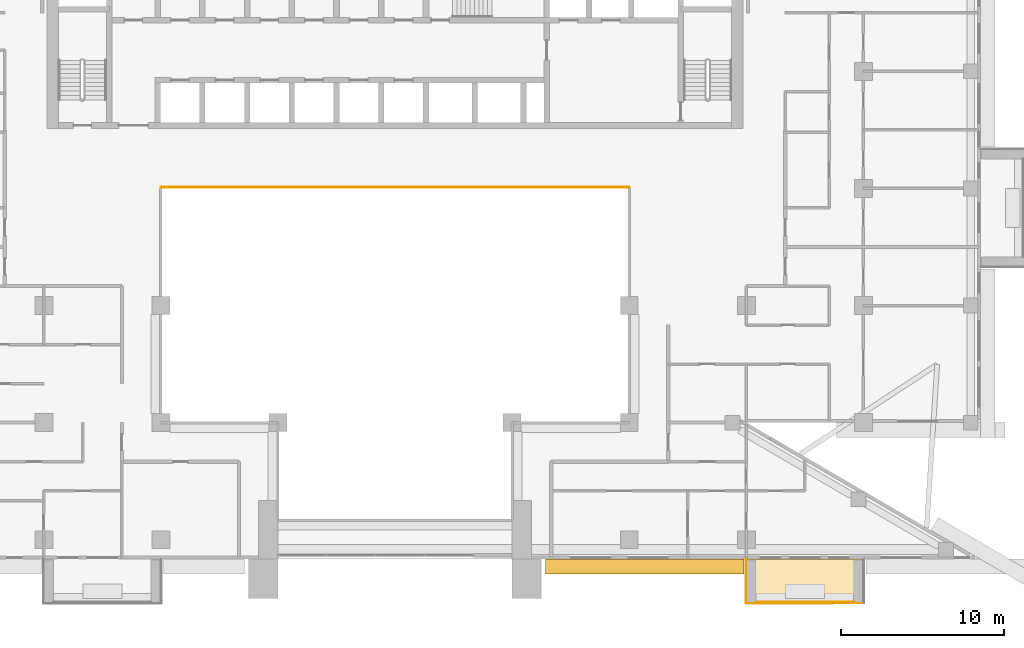
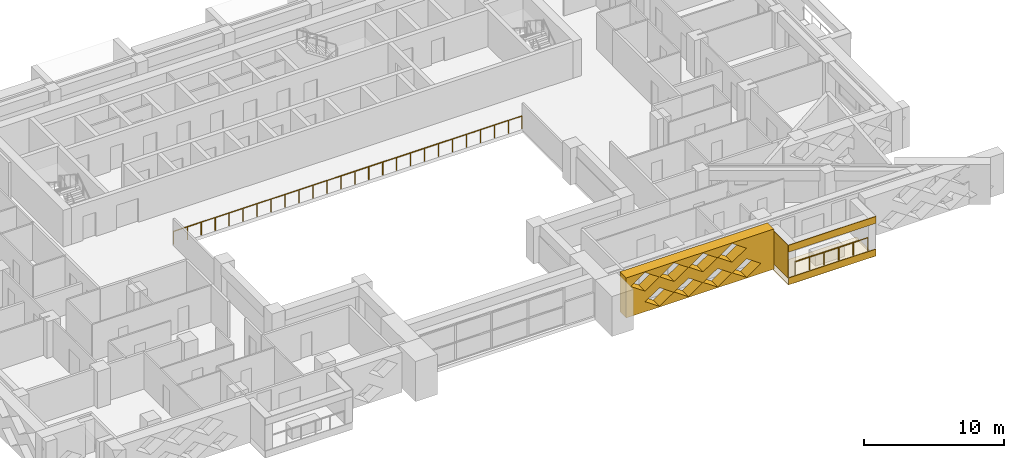
# One storey, part 16 of 20: 5 coverings, 2 railings.
"""IFC4 building model written with IfcOpenShell, lengths in metres."""

from ifc_helpers import new_model, si_unit, direction, frame, origin, origin_2d, place, context, subcontext, project, spatial, polyline, circle, outline, extrude, material, layer, layer_set, type_object, element, save


model = new_model("IFC4")

# Units and contexts
model_context = context("Model", 3, precision=1e-05, world=origin(), true_north=direction((0.0, 1.0)))
body_context = subcontext(model_context, "Body", "Model", "MODEL_VIEW")
ifc_project = project(units=[si_unit("LENGTHUNIT", "METRE"), si_unit("AREAUNIT", "SQUARE_METRE"), si_unit("VOLUMEUNIT", "CUBIC_METRE"), si_unit("PLANEANGLEUNIT", "RADIAN"), si_unit("MASSUNIT", "GRAM", prefix="KILO")], contexts=[model_context])

# Site, building, storey
site_placement = place(None, origin())
site = spatial("IfcSite", under=ifc_project, at=site_placement, CompositionType="ELEMENT")
building_placement = place(site_placement, origin())
building = spatial("IfcBuilding", under=site, at=building_placement, Name="Saffron Iwan Residences", CompositionType="ELEMENT")
storey_placement = place(building_placement, frame((0.0, 0.0, 127.0)))
storey = spatial("IfcBuildingStorey", under=building, at=storey_placement, Name="L33", CompositionType="ELEMENT", Elevation=127.0)

# Railings
ifc_material_1 = material(Name="Stainless steel 316", Category="steel")
railing_type_1 = type_object("IfcRailingType", Name="Atrium guard 1150", PredefinedType="GUARDRAIL", material=ifc_material_1)
railing_1_placement = place(storey_placement, frame((36.0, 62.47509765625, 0.0)))
element("IfcRailing", 1, at=railing_1_placement, inside=storey, type_object=railing_type_1, Name="Atrium guard L33", PredefinedType="GUARDRAIL", context=body_context, shape_type="SweptSolid", body=[
    extrude(circle(Radius=0.02392578125, at=origin_2d()), frame((0.0, 0.0, 1.1259765625), z_axis=(1.0, 0.0, 0.0), x_axis=(0.0, 1.0, 0.0)), (0.0, 0.0, 1.0), 28.800048828125),
    extrude(circle(Radius=0.02099609375, at=origin_2d()), origin(), (0.0, 0.0, 1.0), 1.101806640625),
    extrude(circle(Radius=0.02099609375, at=origin_2d()), frame((1.152099609375, 0.0, 0.0)), (0.0, 0.0, 1.0), 1.101806640625),
    extrude(circle(Radius=0.02099609375, at=origin_2d()), frame((2.303955078125, 0.0, 0.0)), (0.0, 0.0, 1.0), 1.101806640625),
    extrude(circle(Radius=0.02099609375, at=origin_2d()), frame((3.4560546875, 0.0, 0.0)), (0.0, 0.0, 1.0), 1.101806640625),
    extrude(circle(Radius=0.02099609375, at=origin_2d()), frame((4.60791015625, 0.0, 0.0)), (0.0, 0.0, 1.0), 1.101806640625),
    extrude(circle(Radius=0.02099609375, at=origin_2d()), frame((5.760009765625, 0.0, 0.0)), (0.0, 0.0, 1.0), 1.101806640625),
    extrude(circle(Radius=0.02099609375, at=origin_2d()), frame((6.912109375, 0.0, 0.0)), (0.0, 0.0, 1.0), 1.101806640625),
    extrude(circle(Radius=0.02099609375, at=origin_2d()), frame((8.06396484375, 0.0, 0.0)), (0.0, 0.0, 1.0), 1.101806640625),
    extrude(circle(Radius=0.02099609375, at=origin_2d()), frame((9.216064453125, 0.0, 0.0)), (0.0, 0.0, 1.0), 1.101806640625),
    extrude(circle(Radius=0.02099609375, at=origin_2d()), frame((10.367919921875, 0.0, 0.0)), (0.0, 0.0, 1.0), 1.101806640625),
    extrude(circle(Radius=0.02099609375, at=origin_2d()), frame((11.52001953125, 0.0, 0.0)), (0.0, 0.0, 1.0), 1.101806640625),
    extrude(circle(Radius=0.02099609375, at=origin_2d()), frame((12.672119140625, 0.0, 0.0)), (0.0, 0.0, 1.0), 1.101806640625),
    extrude(circle(Radius=0.02099609375, at=origin_2d()), frame((13.823974609375, 0.0, 0.0)), (0.0, 0.0, 1.0), 1.101806640625),
    extrude(circle(Radius=0.02099609375, at=origin_2d()), frame((14.97607421875, 0.0, 0.0)), (0.0, 0.0, 1.0), 1.101806640625),
    extrude(circle(Radius=0.02099609375, at=origin_2d()), frame((16.1279296875, 0.0, 0.0)), (0.0, 0.0, 1.0), 1.101806640625),
    extrude(circle(Radius=0.02099609375, at=origin_2d()), frame((17.280029296875, 0.0, 0.0)), (0.0, 0.0, 1.0), 1.101806640625),
    extrude(circle(Radius=0.02099609375, at=origin_2d()), frame((18.43212890625, 0.0, 0.0)), (0.0, 0.0, 1.0), 1.101806640625),
    extrude(circle(Radius=0.02099609375, at=origin_2d()), frame((19.583984375, 0.0, 0.0)), (0.0, 0.0, 1.0), 1.101806640625),
    extrude(circle(Radius=0.02099609375, at=origin_2d()), frame((20.736083984375, 0.0, 0.0)), (0.0, 0.0, 1.0), 1.101806640625),
    extrude(circle(Radius=0.02099609375, at=origin_2d()), frame((21.887939453125, 0.0, 0.0)), (0.0, 0.0, 1.0), 1.101806640625),
    extrude(circle(Radius=0.02099609375, at=origin_2d()), frame((23.0400390625, 0.0, 0.0)), (0.0, 0.0, 1.0), 1.101806640625),
    extrude(circle(Radius=0.02099609375, at=origin_2d()), frame((24.192138671875, 0.0, 0.0)), (0.0, 0.0, 1.0), 1.101806640625),
    extrude(circle(Radius=0.02099609375, at=origin_2d()), frame((25.343994140625, 0.0, 0.0)), (0.0, 0.0, 1.0), 1.101806640625),
    extrude(circle(Radius=0.02099609375, at=origin_2d()), frame((26.49609375, 0.0, 0.0)), (0.0, 0.0, 1.0), 1.101806640625),
    extrude(circle(Radius=0.02099609375, at=origin_2d()), frame((27.64794921875, 0.0, 0.0)), (0.0, 0.0, 1.0), 1.101806640625),
    extrude(circle(Radius=0.02099609375, at=origin_2d()), frame((28.800048828125, 0.0, 0.0)), (0.0, 0.0, 1.0), 1.101806640625),
])
railing_type_2 = type_object("IfcRailingType", Name="BALCONY GUARD 1150", PredefinedType="GUARDRAIL", material=ifc_material_1)
railing_2_placement = place(storey_placement, frame((72.60009765625, 36.97509765625, 0.0)))
element("IfcRailing", 2, at=railing_2_placement, inside=storey, type_object=railing_type_2, Name="Balcony guard L33 11-1", PredefinedType="GUARDRAIL", context=body_context, shape_type="SweptSolid", body=[
    extrude(circle(Radius=0.02392578125, at=origin_2d()), frame((0.0, 0.0, 1.1259765625), z_axis=(1.0, 0.0, 0.0), x_axis=(0.0, 1.0, 0.0)), (0.0, 0.0, 1.0), 6.0),
    extrude(circle(Radius=0.02099609375, at=origin_2d()), origin(), (0.0, 0.0, 1.0), 1.101806640625),
    extrude(circle(Radius=0.02099609375, at=origin_2d()), frame((1.199951171875, 0.0, 0.0)), (0.0, 0.0, 1.0), 1.101806640625),
    extrude(circle(Radius=0.02099609375, at=origin_2d()), frame((2.39990234375, 0.0, 0.0)), (0.0, 0.0, 1.0), 1.101806640625),
    extrude(circle(Radius=0.02099609375, at=origin_2d()), frame((3.60009765625, 0.0, 0.0)), (0.0, 0.0, 1.0), 1.101806640625),
    extrude(circle(Radius=0.02099609375, at=origin_2d()), frame((4.800048828125, 0.0, 0.0)), (0.0, 0.0, 1.0), 1.101806640625),
    extrude(circle(Radius=0.02099609375, at=origin_2d()), frame((6.0, 0.0, 0.0)), (0.0, 0.0, 1.0), 1.101806640625),
])

# Coverings
ifc_material_2 = material(Name="Precast concrete C40/50 white painted", Category="concrete")
ifc_layer = layer(ifc_material_2, 0.050048828125)
ifc_layer_set = layer_set([ifc_layer], Name="Precast concrete C40/50 white painted")
covering_type_1 = type_object("IfcCoveringType", Name="FRAME SKIN PRECAST WHITE 50", PredefinedType="CLADDING", material=ifc_layer_set)
for number, where, name in (
    (3, (0.0, 0.0, -0.60009765625), "Frame skin slab edge L33 11-1"),
    (4, (0.0, 0.0, 2.25), "Frame skin fascia L33 11-1"),
):
    element("IfcCovering", number, at=place(storey_placement, frame(where)), inside=storey, type_object=covering_type_1, Name=name, PredefinedType="CLADDING", context=body_context, shape_type="SweptSolid", body=[
        extrude(outline(polyline([(72.0, 36.85009765625), (79.199951171875, 36.85009765625), (79.199951171875, 36.89990234375), (72.0, 36.89990234375), (72.0, 36.85009765625)])), origin(), (0.0, 0.0, 1.0), 0.60009765625),
    ])
covering_1_placement = place(storey_placement, frame((0.0, 0.0, -0.64990234375)))
element("IfcCovering", 5, at=covering_1_placement, inside=storey, type_object=covering_type_1, Name="Frame skin soffit L33 11-1", PredefinedType="CLADDING", context=body_context, shape_type="SweptSolid", body=[
    extrude(outline(polyline([(72.0, 36.89990234375), (79.199951171875, 36.89990234375), (79.199951171875, 39.60009765625), (72.0, 39.60009765625), (72.0, 36.89990234375)])), origin(), (0.0, 0.0, 1.0), 0.0498046875),
])
covering_2_placement = place(storey_placement, origin())
element("IfcCovering", 6, at=covering_2_placement, inside=storey, type_object=covering_type_1, Name="Frame skin fin L33 11-1a", PredefinedType="CLADDING", context=body_context, shape_type="SweptSolid", body=[
    extrude(outline(polyline([(71.949951171875, 36.89990234375), (72.0, 36.89990234375), (72.0, 39.60009765625), (71.949951171875, 39.60009765625), (71.949951171875, 36.89990234375)])), origin(), (0.0, 0.0, 1.0), 2.85009765625),
])
ifc_material_3 = material(Name="Precast concrete C40/50", Category="concrete")
covering_type_2 = type_object("IfcCoveringType", Name="OUTER SKIN LATTICE SCREEN", PredefinedType="CLADDING", material=ifc_material_3)
covering_3_placement = place(storey_placement, frame((59.64990234375, 39.60009765625, -0.300048828125), z_axis=(0.0, -1.0, 0.0), x_axis=(1.0, 0.0, 0.0)))
element("IfcCovering", 7, at=covering_3_placement, inside=storey, type_object=covering_type_2, Name="OUTER SKIN lattice screen L33 F11.2", PredefinedType="CLADDING", context=body_context, shape_type="SweptSolid", body=[
    extrude(outline(polyline([(0.0, 0.0), (12.199951171875, 0.0), (12.199951171875, 3.5), (0.0, 3.5), (0.0, 0.0)]), holes=[polyline([(1.570068359375, 0.875), (2.75, 0.06005859375), (3.929931640625, 0.875), (2.75, 1.68994140625), (1.570068359375, 0.875)]), polyline([(3.969970703125, 0.875), (5.14990234375, 0.06005859375), (6.330078125, 0.875), (5.14990234375, 1.68994140625), (3.969970703125, 0.875)]), polyline([(6.3701171875, 0.875), (7.550048828125, 0.06005859375), (8.72998046875, 0.875), (7.550048828125, 1.68994140625), (6.3701171875, 0.875)]), polyline([(8.77001953125, 0.875), (9.949951171875, 0.06005859375), (11.1298828125, 0.875), (9.949951171875, 1.68994140625), (8.77001953125, 0.875)]), polyline([(0.3701171875, 2.625), (1.550048828125, 1.81005859375), (2.72998046875, 2.625), (1.550048828125, 3.43994140625), (0.3701171875, 2.625)]), polyline([(2.77001953125, 2.625), (3.949951171875, 1.81005859375), (5.1298828125, 2.625), (3.949951171875, 3.43994140625), (2.77001953125, 2.625)]), polyline([(5.169921875, 2.625), (6.35009765625, 1.81005859375), (7.530029296875, 2.625), (6.35009765625, 3.43994140625), (5.169921875, 2.625)]), polyline([(7.570068359375, 2.625), (8.75, 1.81005859375), (9.929931640625, 2.625), (8.75, 3.43994140625), (7.570068359375, 2.625)])]), origin(), (0.0, 0.0, 1.0), 0.900146484375),
])

save(model, "model.ifc")
